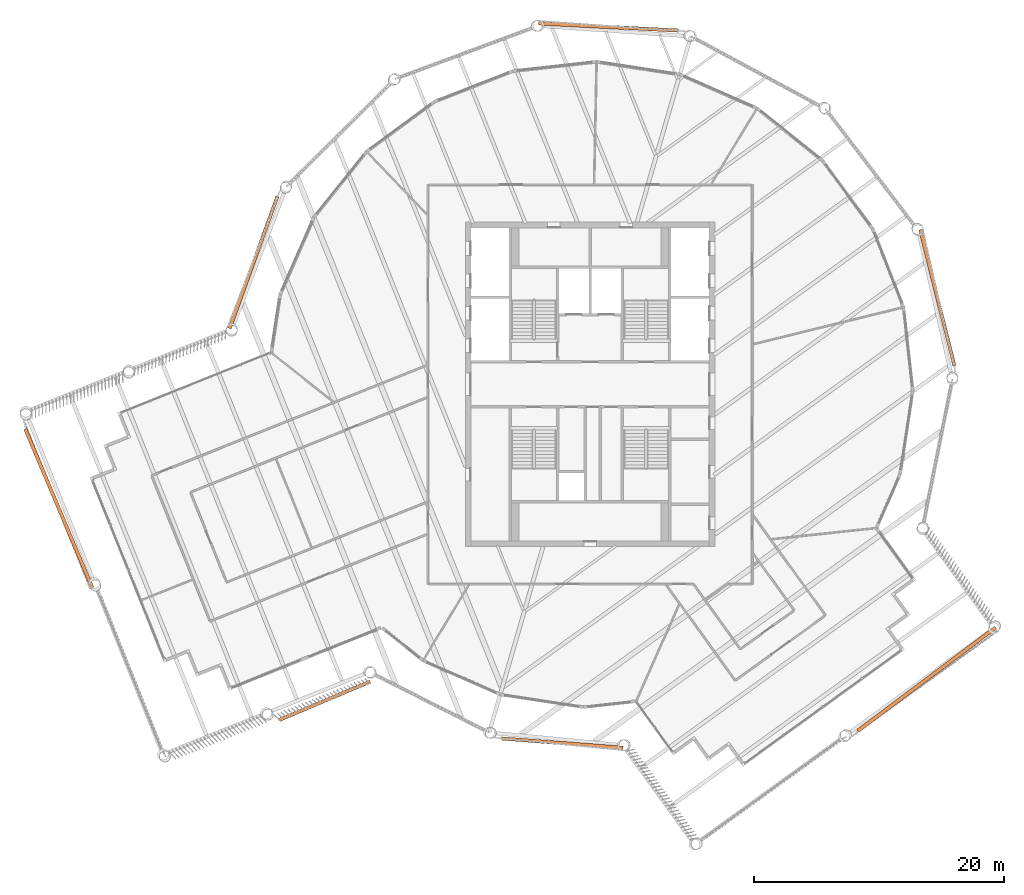
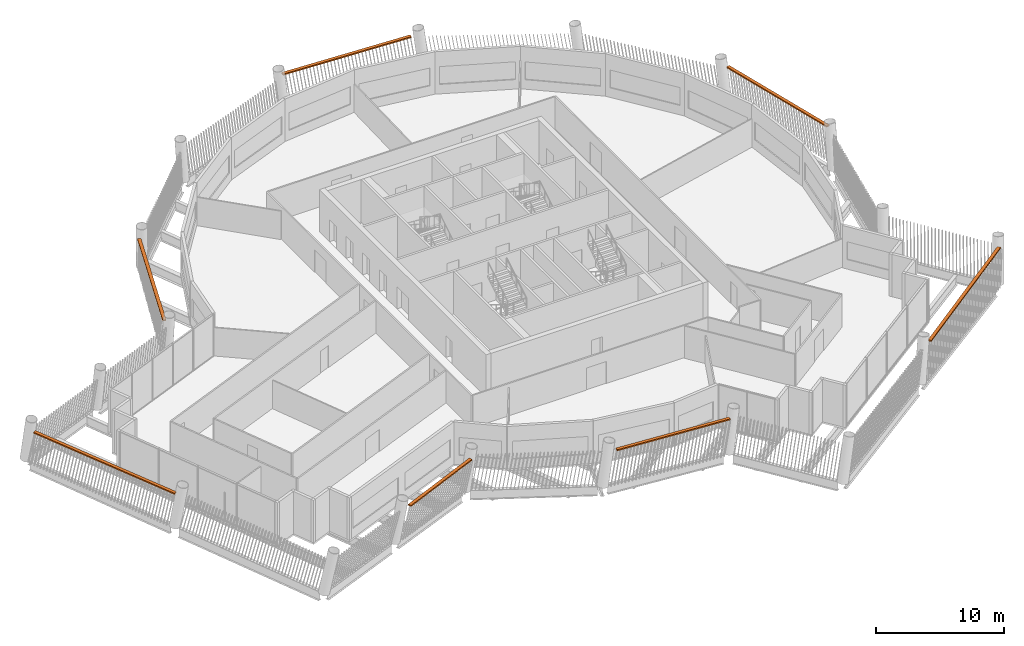
# One storey, part 27 of 27: 7 proxies.
"""IFC4 building model written with IfcOpenShell, lengths in metres."""

from ifc_helpers import new_model, si_unit, direction, frame, origin, origin_2d, place, context, subcontext, project, spatial, rectangle, extrude, material, type_object, element, save


model = new_model("IFC4")

# Units and contexts
model_context = context("Model", 3, precision=1e-05, world=origin(), true_north=direction((0.0, 1.0)))
body_context = subcontext(model_context, "Body", "Model", "MODEL_VIEW")
ifc_project = project(units=[si_unit("LENGTHUNIT", "METRE"), si_unit("AREAUNIT", "SQUARE_METRE"), si_unit("VOLUMEUNIT", "CUBIC_METRE"), si_unit("PLANEANGLEUNIT", "RADIAN"), si_unit("MASSUNIT", "GRAM", prefix="KILO")], contexts=[model_context])

# Site, building, storey
site_placement = place(None, origin())
site = spatial("IfcSite", under=ifc_project, at=site_placement, CompositionType="ELEMENT")
building_placement = place(site_placement, origin())
building = spatial("IfcBuilding", under=site, at=building_placement, Name="Tarsis Ring Headquarters", CompositionType="ELEMENT")
storey_placement = place(building_placement, frame((0.0, 0.0, 373.39990234375)))
storey = spatial("IfcBuildingStorey", under=building, at=storey_placement, Name="L88", CompositionType="ELEMENT", Elevation=373.39990234375)

# Proxies
ifc_material = material(Name="Structural steel S355", Category="steel")
building_element_proxy_type = type_object("IfcBuildingElementProxyType", Name="Screen bracket plate", PredefinedType="USERDEFINED", material=ifc_material)
proxy_1_placement = place(storey_placement, frame((-2.22998046875, -28.752197265625, 3.280517578125), z_axis=(0.0, 0.0, 1.0), x_axis=(0.997005674222, -0.077328426662, 0.0)))
element("IfcBuildingElementProxy", 1, at=proxy_1_placement, inside=storey, type_object=building_element_proxy_type, Name="Screen bracket L88-00", ObjectType="Bracket", PredefinedType="USERDEFINED", context=body_context, shape_type="SweptSolid", body=[
    extrude(rectangle(XDim=9.771728515625, YDim=0.28271484375, at=origin_2d()), origin(), (0.0, 0.0, 1.0), 0.1201171875),
])
proxy_2_placement = place(storey_placement, frame((26.98046875, -23.630126953125, 3.280517578125), z_axis=(0.0, 0.0, 1.0), x_axis=(0.799894175011, 0.600141074068, 0.0)))
element("IfcBuildingElementProxy", 2, at=proxy_2_placement, inside=storey, type_object=building_element_proxy_type, Name="Screen bracket L88-03", ObjectType="Bracket", PredefinedType="USERDEFINED", context=body_context, shape_type="SweptSolid", body=[
    extrude(rectangle(XDim=13.800048828125, YDim=0.28271484375, at=origin_2d()), origin(), (0.0, 0.0, 1.0), 0.1201171875),
])
for number, where, z_axis, x_axis, name in (
    (3, (27.834228515625, 6.9521484375, 3.280517578125), (0.0, 0.0, 1.0), (-0.242324500941, 0.970195256762, 0.0), "Screen bracket L88-06"),
    (4, (1.475830078125, 28.6513671875, 3.280517578125), (0.0, 0.0, 1.0), (-0.998675946086, 0.05144273233, 0.0), "Screen bracket L88-09"),
    (5, (-26.97265625, 9.775146484375, 3.280517578125), (0.0, 0.0, 1.0), (-0.340728739033, -0.940161649078, 0.0), "Screen bracket L88-12"),
):
    element("IfcBuildingElementProxy", number, at=place(storey_placement, frame(where, z_axis=z_axis, x_axis=x_axis)), inside=storey, type_object=building_element_proxy_type, Name=name, ObjectType="Bracket", PredefinedType="USERDEFINED", context=body_context, shape_type="SweptSolid", body=[
        extrude(rectangle(XDim=11.248779296875, YDim=0.28271484375, at=origin_2d()), origin(), (0.0, 0.0, 1.0), 0.1201171875),
    ])
proxy_3_placement = place(storey_placement, frame((-42.580322265625, -9.937255859375, 3.280517578125), z_axis=(0.0, 0.0, 1.0), x_axis=(0.388802372073, -0.921321179324, 0.0)))
element("IfcBuildingElementProxy", 6, at=proxy_3_placement, inside=storey, type_object=building_element_proxy_type, Name="Screen bracket L88-15", ObjectType="Bracket", PredefinedType="USERDEFINED", context=body_context, shape_type="SweptSolid", body=[
    extrude(rectangle(XDim=13.800048828125, YDim=0.28271484375, at=origin_2d()), origin(), (0.0, 0.0, 1.0), 0.1201171875),
])
proxy_4_placement = place(storey_placement, frame((-21.26123046875, -25.35498046875, 3.280517578125), z_axis=(0.0, 0.0, 1.0), x_axis=(0.921321199681, 0.388802323833, 0.0)))
element("IfcBuildingElementProxy", 7, at=proxy_4_placement, inside=storey, type_object=building_element_proxy_type, Name="Screen bracket L88-18", ObjectType="Bracket", PredefinedType="USERDEFINED", context=body_context, shape_type="SweptSolid", body=[
    extrude(rectangle(XDim=7.90234375, YDim=0.28271484375, at=origin_2d()), origin(), (0.0, 0.0, 1.0), 0.1201171875),
])

save(model, "model.ifc")
